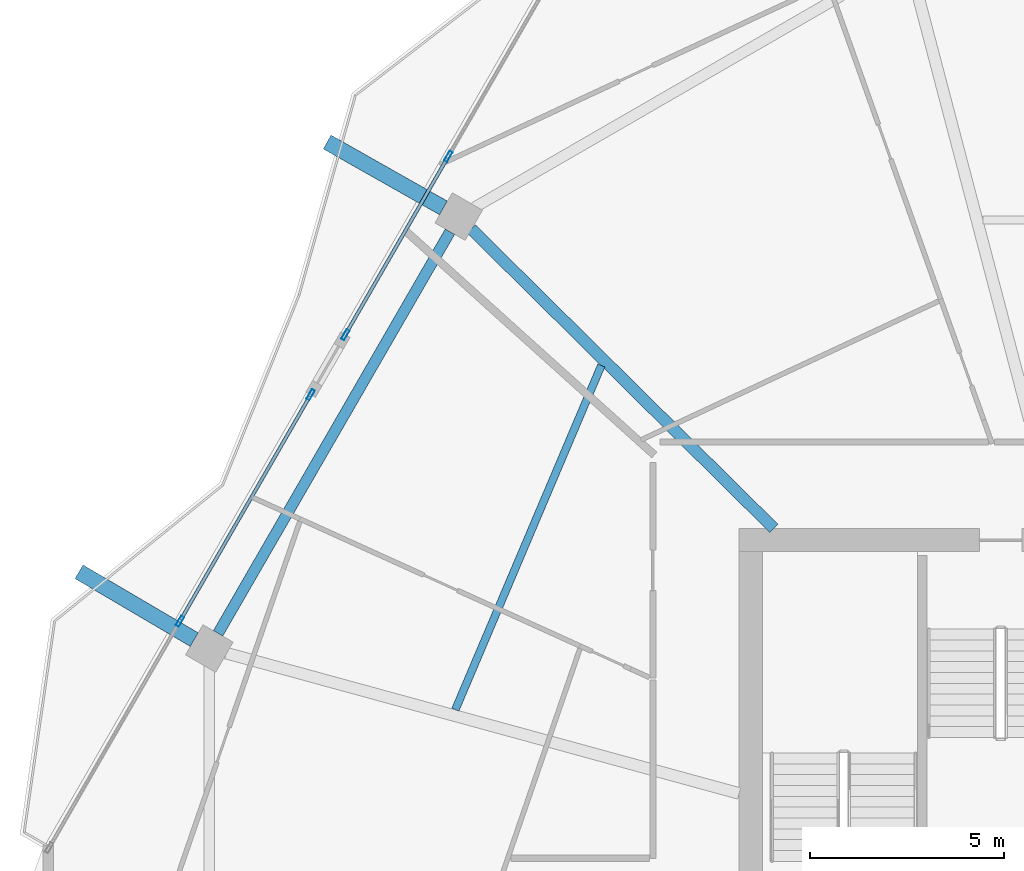
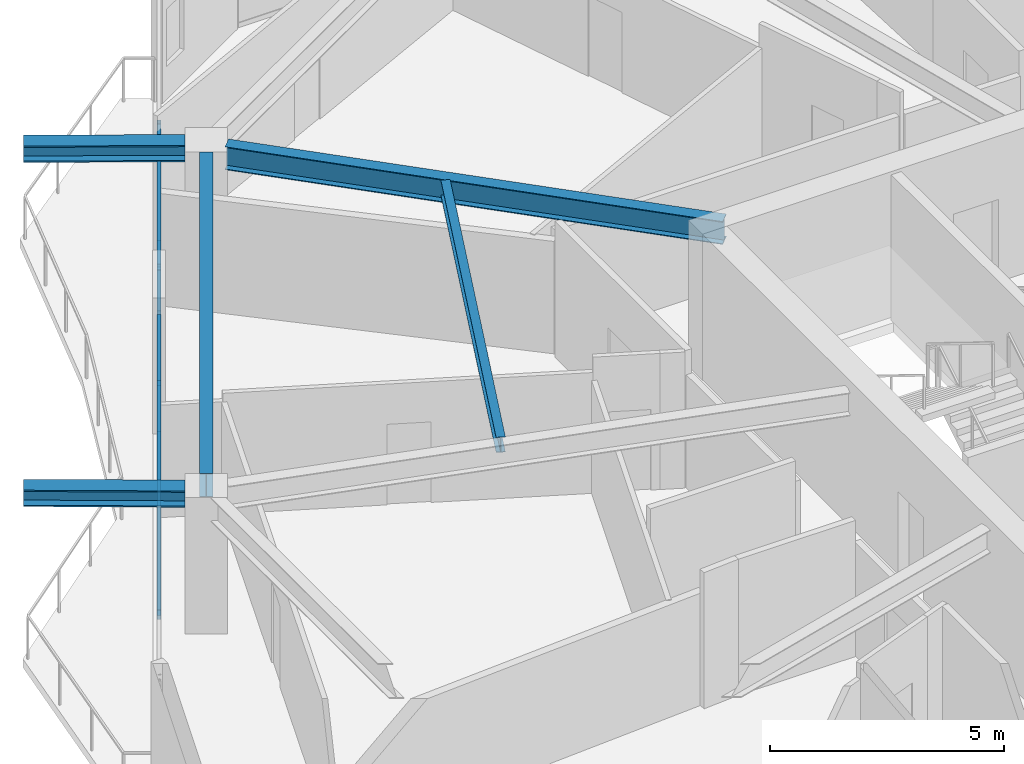
# One storey, part 11 of 25: 8 members, 5 beams, 2 elements without a shape of their own.
"""IFC4 building model written with IfcOpenShell, lengths in metres."""

from ifc_helpers import new_model, si_unit, direction, frame, origin, origin_2d, place, context, subcontext, project, spatial, hollow_rectangle, i_section, extrude, material, material_profile, profile_set, type_object, element, aggregate, save


model = new_model("IFC4")

# Units and contexts
model_context = context("Model", 3, precision=1e-05, world=origin(), true_north=direction((0.0, 1.0)))
body_context = subcontext(model_context, "Body", "Model", "MODEL_VIEW")
ifc_project = project(units=[si_unit("LENGTHUNIT", "METRE"), si_unit("AREAUNIT", "SQUARE_METRE"), si_unit("VOLUMEUNIT", "CUBIC_METRE"), si_unit("PLANEANGLEUNIT", "RADIAN"), si_unit("MASSUNIT", "GRAM", prefix="KILO")], contexts=[model_context])

# Site, building, storey
site_placement = place(None, origin())
site = spatial("IfcSite", under=ifc_project, at=site_placement, CompositionType="ELEMENT")
building_placement = place(site_placement, origin())
building = spatial("IfcBuilding", under=site, at=building_placement, Name="Zuhravey Tower", CompositionType="ELEMENT")
storey_placement = place(building_placement, frame((0.0, 0.0, 235.0)))
storey = spatial("IfcBuildingStorey", under=building, at=storey_placement, Name="L59", CompositionType="ELEMENT", Elevation=235.0)

# Curtain wall, members
ifc_material_1 = material(Name="Thermally broken anodised aluminium", Category="aluminium")
curtain_wall_type = type_object("IfcCurtainWallType", Name="Zone 3-4 High-Rise Curtain Wall CW4", PredefinedType="NOTDEFINED", material=ifc_material_1)
curtain_wall_1_placement = place(storey_placement, origin())
curtain_wall_1 = element("IfcCurtainWall", 1, at=curtain_wall_1_placement, inside=storey, type_object=curtain_wall_type, Name="L59 CW4 CW-L59-F3-1", PredefinedType="NOTDEFINED")
ifc_material_2 = material(Name="Anodised aluminium", Category="aluminium")
ifc_material_profile_1 = material_profile(ifc_material_2, hollow_rectangle(XDim=0.090087890625, YDim=0.284912109375, WallThickness=0.0048828125, at=origin_2d()), Name="ALU-RHS-90x285x5")
ifc_profile_set_1 = profile_set([ifc_material_profile_1], Name="Anodised aluminium")
member_type_1 = type_object("IfcMemberType", Name="Curtain-Wall Mullion 90x180", PredefinedType="MULLION", material=ifc_profile_set_1)
member_1_placement = place(storey_placement, frame((10.755615234375, 39.402587890625, 0.0), z_axis=(0.0, 0.0, 1.0), x_axis=(-0.866024110615, 0.500002239829, 0.0)))
member_1 = element("IfcMember", 2, at=member_1_placement, type_object=member_type_1, Name="CW4 mullion 2", PredefinedType="MULLION", context=body_context, shape_type="SweptSolid", body=[
    extrude(hollow_rectangle(XDim=0.090087890625, YDim=0.284912109375, WallThickness=0.0048828125, at=origin_2d()), origin(), (0.0, 0.0, 1.0), 3.1220703125),
])
member_2_placement = place(storey_placement, frame((14.1337890625, 45.25390625, 0.0), z_axis=(0.0, 0.0, 1.0), x_axis=(-0.866024110615, 0.500002239829, 0.0)))
member_2 = element("IfcMember", 3, at=member_2_placement, type_object=member_type_1, Name="CW4 mullion 3", PredefinedType="MULLION", context=body_context, shape_type="SweptSolid", body=[
    extrude(hollow_rectangle(XDim=0.090087890625, YDim=0.284912109375, WallThickness=0.0048828125, at=origin_2d()), origin(), (0.0, 0.0, 1.0), 3.1220703125),
])

curtain_wall_2_placement = place(storey_placement, origin())
curtain_wall_2 = element("IfcCurtainWall", 4, at=curtain_wall_2_placement, inside=storey, type_object=curtain_wall_type, Name="L59 CW4 CW-L59-F3-2", PredefinedType="NOTDEFINED")
member_3_placement = place(storey_placement, frame((15.02880859375, 46.803955078125, 0.0), z_axis=(0.0, 0.0, 1.0), x_axis=(-0.866026709558, 0.499997738327, 0.0)))
member_3 = element("IfcMember", 5, at=member_3_placement, type_object=member_type_1, Name="CW4 mullion 1", PredefinedType="MULLION", context=body_context, shape_type="SweptSolid", body=[
    extrude(hollow_rectangle(XDim=0.090087890625, YDim=0.284912109375, WallThickness=0.0048828125, at=origin_2d()), origin(), (0.0, 0.0, 1.0), 3.1220703125),
])
member_4_placement = place(storey_placement, frame((17.68701171875, 51.407958984375, 0.0), z_axis=(0.0, 0.0, 1.0), x_axis=(-0.866026709558, 0.499997738327, 0.0)))
member_4 = element("IfcMember", 6, at=member_4_placement, type_object=member_type_1, Name="CW4 mullion 2", PredefinedType="MULLION", context=body_context, shape_type="SweptSolid", body=[
    extrude(hollow_rectangle(XDim=0.090087890625, YDim=0.284912109375, WallThickness=0.0048828125, at=origin_2d()), origin(), (0.0, 0.0, 1.0), 3.1220703125),
])

# Member
ifc_material_profile_2 = material_profile(ifc_material_2, hollow_rectangle(XDim=0.090087890625, YDim=0.14990234375, WallThickness=0.0048828125, at=origin_2d()), Name="ALU-RHS-90x150x5")
ifc_profile_set_2 = profile_set([ifc_material_profile_2], Name="Anodised aluminium")
member_type_2 = type_object("IfcMemberType", Name="Curtain-Wall Transom 90x150", PredefinedType="USERDEFINED", material=ifc_profile_set_2)
member_5_placement = place(storey_placement, frame((10.778076171875, 39.441650390625, 0.044921875), z_axis=(0.50001093693, 0.866019089253, 0.0), x_axis=(-0.866019089253, 0.50001093693, 0.0)))
member_5 = element("IfcMember", 7, at=member_5_placement, type_object=member_type_2, Name="CW4 transom 2.1", ObjectType="TRANSOM", PredefinedType="USERDEFINED", context=body_context, shape_type="SweptSolid", body=[
    extrude(hollow_rectangle(XDim=0.090087890625, YDim=0.14990234375, WallThickness=0.0048828125, at=origin_2d()), origin(), (0.0, 0.0, 1.0), 6.666259765625),
])

member_6_placement = place(storey_placement, frame((10.778076171875, 39.441650390625, 3.076904296875), z_axis=(0.50001093693, 0.866019089253, 0.0), x_axis=(-0.866019089253, 0.50001093693, 0.0)))
member_6 = element("IfcMember", 8, at=member_6_placement, type_object=member_type_2, Name="CW4 transom 2.2", ObjectType="TRANSOM", PredefinedType="USERDEFINED", context=body_context, shape_type="SweptSolid", body=[
    extrude(hollow_rectangle(XDim=0.090087890625, YDim=0.14990234375, WallThickness=0.0048828125, at=origin_2d()), origin(), (0.0, 0.0, 1.0), 6.666259765625),
])

aggregate(curtain_wall_1, [member_1, member_2, member_5, member_6])

member_7_placement = place(storey_placement, frame((15.05126953125, 46.843017578125, 0.044921875), z_axis=(0.50001763503, 0.866015221956, 0.0), x_axis=(-0.866015221956, 0.50001763503, 0.0)))
member_7 = element("IfcMember", 9, at=member_7_placement, type_object=member_type_2, Name="CW4 transom 1.1", ObjectType="TRANSOM", PredefinedType="USERDEFINED", context=body_context, shape_type="SweptSolid", body=[
    extrude(hollow_rectangle(XDim=0.090087890625, YDim=0.14990234375, WallThickness=0.0048828125, at=origin_2d()), origin(), (0.0, 0.0, 1.0), 5.226318359375),
])

member_8_placement = place(storey_placement, frame((15.05126953125, 46.843017578125, 3.076904296875), z_axis=(0.50001763503, 0.866015221956, 0.0), x_axis=(-0.866015221956, 0.50001763503, 0.0)))
member_8 = element("IfcMember", 10, at=member_8_placement, type_object=member_type_2, Name="CW4 transom 1.2", ObjectType="TRANSOM", PredefinedType="USERDEFINED", context=body_context, shape_type="SweptSolid", body=[
    extrude(hollow_rectangle(XDim=0.090087890625, YDim=0.14990234375, WallThickness=0.0048828125, at=origin_2d()), origin(), (0.0, 0.0, 1.0), 5.226318359375),
])

aggregate(curtain_wall_2, [member_3, member_4, member_7, member_8])

# Beams
ifc_material_3 = material(Name="Steel SM460", Category="steel")
ifc_material_profile_3 = material_profile(ifc_material_3, i_section(OverallWidth=0.406982421875, OverallDepth=0.427978515625, WebThickness=0.02001953125, FlangeThickness=0.034912109375, at=origin_2d()), Name="H-428x407x20x35")
ifc_profile_set_3 = profile_set([ifc_material_profile_3], Name="Steel SM460")
beam_type_1 = type_object("IfcBeamType", Name="Exoskeleton Node Tie Beam H428x407", PredefinedType="BEAM", material=ifc_profile_set_3)
beam_1_placement = place(storey_placement, frame((17.561279296875, 50.078369140625, 3.3359375), z_axis=(-0.870221375933, 0.492660894399, 0.0), x_axis=(-0.492660894399, -0.870221375933, 0.0)))
element("IfcBeam", 11, at=beam_1_placement, inside=storey, type_object=beam_type_1, Name="L59 Exoskeleton Node Tie NT1-05", PredefinedType="BEAM", context=body_context, shape_type="SweptSolid", body=[
    extrude(i_section(OverallWidth=0.406982421875, OverallDepth=0.427978515625, WebThickness=0.02001953125, FlangeThickness=0.034912109375, at=origin_2d()), origin(), (0.0, 0.0, 1.0), 3.450927734375),
])
beam_2_placement = place(storey_placement, frame((11.124267578125, 38.92919921875, 3.3359375), z_axis=(-0.861775959004, 0.507289066, 0.0), x_axis=(-0.507289066, -0.861775959004, 0.0)))
element("IfcBeam", 12, at=beam_2_placement, inside=storey, type_object=beam_type_1, Name="L59 Exoskeleton Node Tie NT1-06", PredefinedType="BEAM", context=body_context, shape_type="SweptSolid", body=[
    extrude(i_section(OverallWidth=0.406982421875, OverallDepth=0.427978515625, WebThickness=0.02001953125, FlangeThickness=0.034912109375, at=origin_2d()), origin(), (0.0, 0.0, 1.0), 3.451171875),
])
ifc_material_4 = material(Name="Steel SM355", Category="steel")
ifc_material_profile_4 = material_profile(ifc_material_4, i_section(OverallWidth=0.280029296875, OverallDepth=0.6201171875, WebThickness=0.011962890625, FlangeThickness=0.02001953125, at=origin_2d()), Name="H-620x280x12x20")
ifc_profile_set_4 = profile_set([ifc_material_profile_4], Name="Steel SM355")
beam_type_2 = type_object("IfcBeamType", Name="Perimeter Ring Beam H620x280", PredefinedType="BEAM", material=ifc_profile_set_4)
beam_3_placement = place(storey_placement, frame((17.72998046875, 49.46240234375, 3.239990234375), z_axis=(-0.500017744717, -0.866015158625, 0.0), x_axis=(0.866015158625, -0.500017744717, 0.0)))
element("IfcBeam", 13, at=beam_3_placement, inside=storey, type_object=beam_type_2, Name="L59 PB3 BM-L59-PB-05", PredefinedType="BEAM", context=body_context, shape_type="SweptSolid", body=[
    extrude(i_section(OverallWidth=0.280029296875, OverallDepth=0.6201171875, WebThickness=0.011962890625, FlangeThickness=0.02001953125, at=origin_2d()), origin(), (0.0, 0.0, 1.0), 11.9755859375),
])
ifc_material_profile_5 = material_profile(ifc_material_4, i_section(OverallWidth=0.300048828125, OverallDepth=0.60009765625, WebThickness=0.011962890625, FlangeThickness=0.02001953125, at=origin_2d()), Name="H-600x300x12x20")
ifc_profile_set_5 = profile_set([ifc_material_profile_5], Name="Steel SM355")
beam_type_3 = type_object("IfcBeamType", Name="Radial Primary Girder H600x300", PredefinedType="BEAM", material=ifc_profile_set_5)
beam_4_placement = place(storey_placement, frame((26.09326171875, 41.802978515625, 3.25), z_axis=(-0.710816516282, 0.703377480576, 0.0), x_axis=(-0.703377480576, -0.710816516282, 0.0)))
element("IfcBeam", 14, at=beam_4_placement, inside=storey, type_object=beam_type_3, Name="L59 RG3 BM-L59-RAD-05", PredefinedType="BEAM", context=body_context, shape_type="SweptSolid", body=[
    extrude(i_section(OverallWidth=0.300048828125, OverallDepth=0.60009765625, WebThickness=0.011962890625, FlangeThickness=0.02001953125, at=origin_2d()), origin(), (0.0, 0.0, 1.0), 10.994384765625),
])
ifc_material_profile_6 = material_profile(ifc_material_4, i_section(OverallWidth=0.199951171875, OverallDepth=0.39990234375, WebThickness=0.008056640625, FlangeThickness=0.012939453125, at=origin_2d()), Name="H-400x200x8x13")
ifc_profile_set_6 = profile_set([ifc_material_profile_6], Name="Steel SM355")
beam_type_4 = type_object("IfcBeamType", Name="Secondary Floor Joist H400x200", PredefinedType="JOIST", material=ifc_profile_set_6)
beam_5_placement = place(storey_placement, frame((21.63916015625, 46.009033203125, 3.35009765625), z_axis=(-0.390413493754, -0.920639616731, 0.0), x_axis=(0.920639616731, -0.390413493754, 0.0)))
element("IfcBeam", 15, at=beam_5_placement, inside=storey, type_object=beam_type_4, Name="L59 SJ2 BM-L59-SJ-05-1", PredefinedType="JOIST", context=body_context, shape_type="SweptSolid", body=[
    extrude(i_section(OverallWidth=0.199951171875, OverallDepth=0.39990234375, WebThickness=0.008056640625, FlangeThickness=0.012939453125, at=origin_2d()), origin(), (0.0, 0.0, 1.0), 9.656494140625),
])

save(model, "model.ifc")
